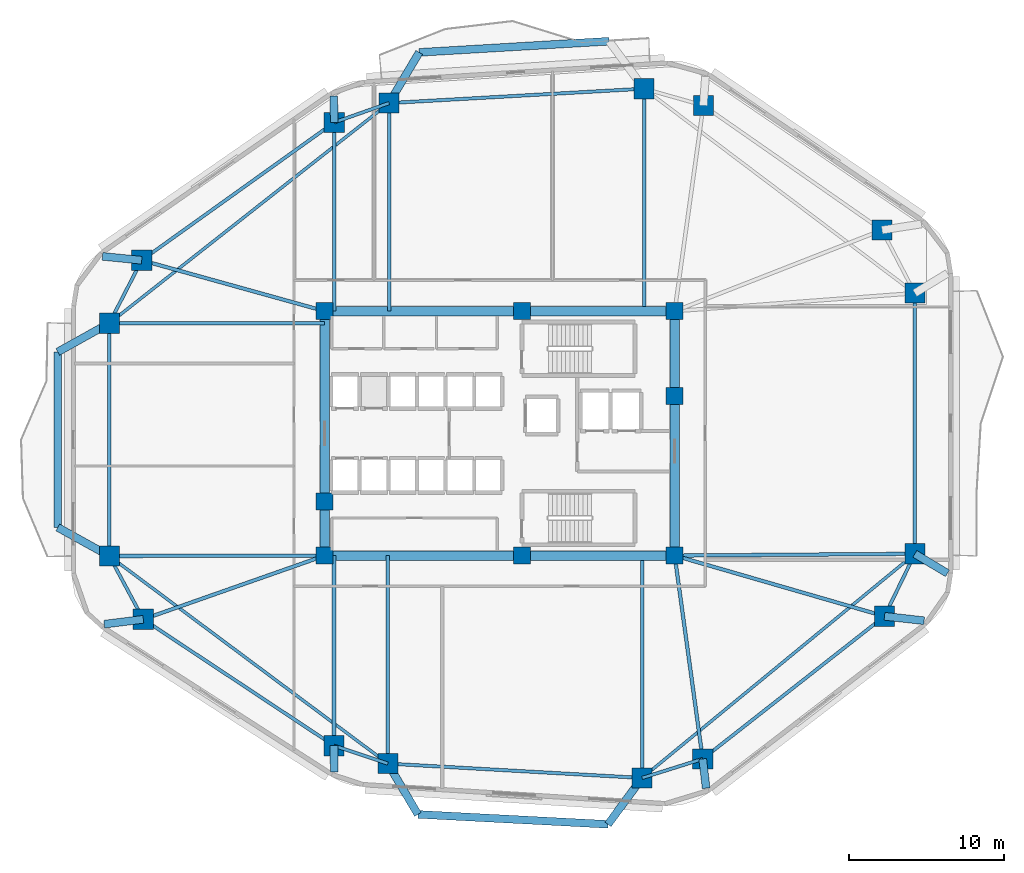
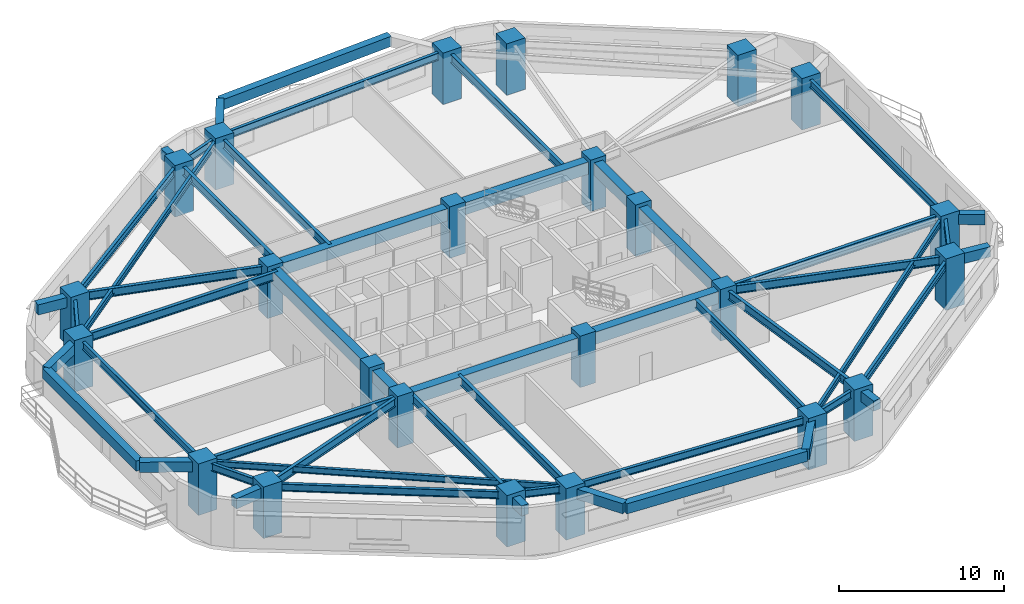
# One storey, part 1 of 10: 52 beams, 24 columns.
"""IFC4 building model written with IfcOpenShell, lengths in metres."""

from ifc_helpers import new_model, si_unit, direction, frame, origin, origin_2d, place, context, subcontext, project, spatial, rectangle, i_section, extrude, material, material_profile, profile_set, type_object, element, save


model = new_model("IFC4")

# Units and contexts
model_context = context("Model", 3, precision=1e-05, world=origin(), true_north=direction((0.0, 1.0)))
body_context = subcontext(model_context, "Body", "Model", "MODEL_VIEW")
ifc_project = project(units=[si_unit("LENGTHUNIT", "METRE"), si_unit("AREAUNIT", "SQUARE_METRE"), si_unit("VOLUMEUNIT", "CUBIC_METRE"), si_unit("PLANEANGLEUNIT", "RADIAN"), si_unit("MASSUNIT", "GRAM", prefix="KILO")], contexts=[model_context])

# Site, building, storey
site_placement = place(None, origin())
site = spatial("IfcSite", under=ifc_project, at=site_placement, CompositionType="ELEMENT")
building_placement = place(site_placement, origin())
building = spatial("IfcBuilding", under=site, at=building_placement, Name="Zulverin Broadcast Headquarters", CompositionType="ELEMENT")
storey_placement = place(building_placement, frame((0.0, 0.0, 36.39990234375)))
storey = spatial("IfcBuildingStorey", under=building, at=storey_placement, Name="L08", CompositionType="ELEMENT", Elevation=36.39990234375)

# Columns
ifc_material_1 = material(Name="Concrete C60/75", Category="concrete")
ifc_material_profile_1 = material_profile(ifc_material_1, rectangle(XDim=1.300048828125, YDim=1.300048828125, at=origin_2d()), Name="Concrete C60/75", Category="concrete")
ifc_profile_set_1 = profile_set([ifc_material_profile_1], Name="Concrete C60/75")
column_type_1 = type_object("IfcColumnType", Name="COL-RC-1300", PredefinedType="COLUMN", material=ifc_profile_set_1)
for number, where, z_axis, x_axis, name in (
    (1, (29.79638671875, 3.922119140625, 0.0), (0.0, 0.0, 1.0), (1.0, 0.0, 0.0), "L08 Perimeter Column T01"),
    (2, (46.175048828125, 2.997802734375, 0.0), (0.0, 0.0, 1.0), (1.0, 0.0, 0.0), "L08 Perimeter Column T02"),
    (3, (50.08056640625, 4.22509765625, 0.0), (0.0, 0.0, 1.0), (1.0, 0.0, 0.0), "L08 Perimeter Column T03"),
    (4, (61.79296875, 13.416259765625, 0.0), (0.0, 0.0, 1.0), (1.0, 0.0, 0.0), "L08 Perimeter Column T04"),
    (5, (63.75, 17.439697265625, 0.0), (0.0, 0.0, 1.0), (1.0, 0.0, 0.0), "L08 Perimeter Column T05"),
    (6, (63.75, 34.235107421875, 0.0), (0.0, 0.0, 1.0), (1.0, 0.0, 0.0), "L08 Perimeter Column T06"),
    (7, (61.630126953125, 38.298583984375, 0.0), (0.0, 0.0, 1.0), (1.0, 0.0, 0.0), "L08 Perimeter Column T07"),
    (8, (50.121826171875, 46.325927734375, 0.0), (0.0, 0.0, 1.0), (1.0, 0.0, 0.0), "L08 Perimeter Column T08"),
    (9, (46.30224609375, 47.4091796875, 0.0), (0.0, 0.0, 1.0), (1.0, 0.0, 0.0), "L08 Perimeter Column T09"),
    (10, (29.873779296875, 46.482177734375, 0.0), (0.0, 0.0, 1.0), (1.0, 0.0, 0.0), "L08 Perimeter Column T10"),
    (11, (26.344482421875, 45.23828125, 0.0), (0.0, 0.0, 1.0), (1.0, 0.0, 0.0), "L08 Perimeter Column T11"),
    (12, (13.934326171875, 36.353759765625, 0.0), (0.0, 0.0, 1.0), (1.0, 0.0, 0.0), "L08 Perimeter Column T12"),
    (13, (11.85009765625, 32.298095703125, 0.0), (0.0, 0.0, 1.0), (1.0, 0.0, 0.0), "L08 Perimeter Column T13"),
    (14, (11.85009765625, 17.297607421875, 0.0), (0.0, 0.0, 1.0), (1.0, 0.0, 0.0), "L08 Perimeter Column T14"),
    (15, (14.0390625, 13.219970703125, 0.0), (0.0, 0.0, 1.0), (1.0, 0.0, 0.0), "L08 Perimeter Column T15"),
    (16, (26.3251953125, 5.075927734375, 0.0), (0.0, 0.0, 1.0), (1.0, 0.0, 0.0), "L08 Perimeter Column T16"),
):
    element("IfcColumn", number, at=place(storey_placement, frame(where, z_axis=z_axis, x_axis=x_axis)), inside=storey, type_object=column_type_1, Name=name, PredefinedType="COLUMN", context=body_context, shape_type="SweptSolid", body=[
        extrude(rectangle(XDim=1.300048828125, YDim=1.300048828125, at=origin_2d()), origin(), (0.0, 0.0, 1.0), 3.800048828125),
    ])
ifc_material_profile_2 = material_profile(ifc_material_1, rectangle(XDim=1.10009765625, YDim=1.10009765625, at=origin_2d()), Name="Concrete C60/75", Category="concrete")
ifc_profile_set_2 = profile_set([ifc_material_profile_2], Name="Concrete C60/75")
column_type_2 = type_object("IfcColumnType", Name="PIL-RC-1100", PredefinedType="PILASTER", material=ifc_profile_set_2)
for number, where, z_axis, x_axis, name in (
    (17, (25.72509765625, 17.324951171875, 0.0), (0.0, 0.0, 1.0), (1.0, 0.0, 0.0), "L08 Core Pilaster K01"),
    (18, (38.449951171875, 17.324951171875, 0.0), (0.0, 0.0, 1.0), (1.0, 0.0, 0.0), "L08 Core Pilaster K02"),
    (19, (48.27490234375, 17.324951171875, 0.0), (0.0, 0.0, 1.0), (1.0, 0.0, 0.0), "L08 Core Pilaster K03"),
    (20, (48.27490234375, 27.6201171875, 0.0), (0.0, 0.0, 1.0), (1.0, 0.0, 0.0), "L08 Core Pilaster K04"),
    (21, (48.27490234375, 33.074951171875, 0.0), (0.0, 0.0, 1.0), (1.0, 0.0, 0.0), "L08 Core Pilaster K05"),
    (22, (38.449951171875, 33.074951171875, 0.0), (0.0, 0.0, 1.0), (1.0, 0.0, 0.0), "L08 Core Pilaster K06"),
    (23, (25.72509765625, 33.074951171875, 0.0), (0.0, 0.0, 1.0), (1.0, 0.0, 0.0), "L08 Core Pilaster K07"),
    (24, (25.72509765625, 20.800048828125, 0.0), (0.0, 0.0, 1.0), (1.0, 0.0, 0.0), "L08 Core Pilaster K08"),
):
    element("IfcColumn", number, at=place(storey_placement, frame(where, z_axis=z_axis, x_axis=x_axis)), inside=storey, type_object=column_type_2, Name=name, PredefinedType="PILASTER", context=body_context, shape_type="SweptSolid", body=[
        extrude(rectangle(XDim=1.10009765625, YDim=1.10009765625, at=origin_2d()), origin(), (0.0, 0.0, 1.0), 3.800048828125),
    ])

# Beams
ifc_material_profile_3 = material_profile(ifc_material_1, rectangle(XDim=0.60009765625, YDim=0.89990234375, at=origin_2d()), Name="Concrete C60/75", Category="concrete")
ifc_profile_set_3 = profile_set([ifc_material_profile_3], Name="Concrete C60/75")
beam_type_1 = type_object("IfcBeamType", Name="BM-CB-600x900", PredefinedType="LINTEL", material=ifc_profile_set_3)
beam_1_placement = place(storey_placement, frame((25.72509765625, 17.324951171875, 3.0751953125), z_axis=(1.0, 0.0, 0.0), x_axis=(0.0, 1.0, 0.0)))
element("IfcBeam", 25, at=beam_1_placement, inside=storey, type_object=beam_type_1, Name="L08 Core Coupling Girder K01-K02", PredefinedType="LINTEL", context=body_context, shape_type="SweptSolid", body=[
    extrude(rectangle(XDim=0.60009765625, YDim=0.89990234375, at=origin_2d()), origin(), (0.0, 0.0, 1.0), 12.724853515625),
])
beam_2_placement = place(storey_placement, frame((38.449951171875, 17.324951171875, 3.0751953125), z_axis=(1.0, 0.0, 0.0), x_axis=(0.0, 1.0, 0.0)))
element("IfcBeam", 26, at=beam_2_placement, inside=storey, type_object=beam_type_1, Name="L08 Core Coupling Girder K02-K03", PredefinedType="LINTEL", context=body_context, shape_type="SweptSolid", body=[
    extrude(rectangle(XDim=0.60009765625, YDim=0.89990234375, at=origin_2d()), origin(), (0.0, 0.0, 1.0), 9.824951171875),
])
beam_3_placement = place(storey_placement, frame((48.27490234375, 17.324951171875, 3.0751953125), z_axis=(0.0, 1.0, 0.0), x_axis=(-1.0, 0.0, 0.0)))
element("IfcBeam", 27, at=beam_3_placement, inside=storey, type_object=beam_type_1, Name="L08 Core Coupling Girder K03-K04", PredefinedType="LINTEL", context=body_context, shape_type="SweptSolid", body=[
    extrude(rectangle(XDim=0.60009765625, YDim=0.89990234375, at=origin_2d()), origin(), (0.0, 0.0, 1.0), 10.295166015625),
])
beam_4_placement = place(storey_placement, frame((48.27490234375, 27.6201171875, 3.0751953125), z_axis=(0.0, 1.0, 0.0), x_axis=(-1.0, 0.0, 0.0)))
element("IfcBeam", 28, at=beam_4_placement, inside=storey, type_object=beam_type_1, Name="L08 Core Coupling Girder K04-K05", PredefinedType="LINTEL", context=body_context, shape_type="SweptSolid", body=[
    extrude(rectangle(XDim=0.60009765625, YDim=0.89990234375, at=origin_2d()), origin(), (0.0, 0.0, 1.0), 5.454833984375),
])
beam_5_placement = place(storey_placement, frame((48.27490234375, 33.074951171875, 3.0751953125), z_axis=(-1.0, 0.0, 0.0), x_axis=(0.0, -1.0, 0.0)))
element("IfcBeam", 29, at=beam_5_placement, inside=storey, type_object=beam_type_1, Name="L08 Core Coupling Girder K05-K06", PredefinedType="LINTEL", context=body_context, shape_type="SweptSolid", body=[
    extrude(rectangle(XDim=0.60009765625, YDim=0.89990234375, at=origin_2d()), origin(), (0.0, 0.0, 1.0), 9.824951171875),
])
beam_6_placement = place(storey_placement, frame((38.449951171875, 33.074951171875, 3.0751953125), z_axis=(-1.0, 0.0, 0.0), x_axis=(0.0, -1.0, 0.0)))
element("IfcBeam", 30, at=beam_6_placement, inside=storey, type_object=beam_type_1, Name="L08 Core Coupling Girder K06-K07", PredefinedType="LINTEL", context=body_context, shape_type="SweptSolid", body=[
    extrude(rectangle(XDim=0.60009765625, YDim=0.89990234375, at=origin_2d()), origin(), (0.0, 0.0, 1.0), 12.724853515625),
])
beam_7_placement = place(storey_placement, frame((25.72509765625, 33.074951171875, 3.0751953125), z_axis=(0.0, -1.0, 0.0), x_axis=(1.0, 0.0, 0.0)))
element("IfcBeam", 31, at=beam_7_placement, inside=storey, type_object=beam_type_1, Name="L08 Core Coupling Girder K07-K08", PredefinedType="LINTEL", context=body_context, shape_type="SweptSolid", body=[
    extrude(rectangle(XDim=0.60009765625, YDim=0.89990234375, at=origin_2d()), origin(), (0.0, 0.0, 1.0), 12.27490234375),
])
beam_8_placement = place(storey_placement, frame((25.72509765625, 20.800048828125, 3.0751953125), z_axis=(0.0, -1.0, 0.0), x_axis=(1.0, 0.0, 0.0)))
element("IfcBeam", 32, at=beam_8_placement, inside=storey, type_object=beam_type_1, Name="L08 Core Coupling Girder K08-K01", PredefinedType="LINTEL", context=body_context, shape_type="SweptSolid", body=[
    extrude(rectangle(XDim=0.60009765625, YDim=0.89990234375, at=origin_2d()), origin(), (0.0, 0.0, 1.0), 3.47509765625),
])
ifc_material_2 = material(Name="Concrete C40/50", Category="concrete")
ifc_material_profile_4 = material_profile(ifc_material_2, rectangle(XDim=0.5, YDim=0.75, at=origin_2d()), Name="Concrete C40/50", Category="concrete")
ifc_profile_set_4 = profile_set([ifc_material_profile_4], Name="Concrete C40/50")
beam_type_2 = type_object("IfcBeamType", Name="BM-RC-500x750", PredefinedType="BEAM", material=ifc_profile_set_4)
beam_9_placement = place(storey_placement, frame((50.08056640625, 4.22509765625, 3.150146484375), z_axis=(0.115916621896, -0.99325894749, 0.0), x_axis=(0.99325894749, 0.115916621896, 0.0)))
element("IfcBeam", 33, at=beam_9_placement, inside=storey, type_object=beam_type_2, Name="L09 Plate Overhang Back-Spanned Beam OVR-03", PredefinedType="BEAM", context=body_context, shape_type="SweptSolid", body=[
    extrude(rectangle(XDim=0.5, YDim=0.75, at=origin_2d()), origin(), (0.0, 0.0, 1.0), 1.899658203125),
])
beam_10_placement = place(storey_placement, frame((61.79296875, 13.416259765625, 3.150146484375), z_axis=(0.993797661948, -0.111203449166, 0.0), x_axis=(0.111203449166, 0.993797661948, 0.0)))
element("IfcBeam", 34, at=beam_10_placement, inside=storey, type_object=beam_type_2, Name="L09 Plate Overhang Back-Spanned Beam OVR-04", PredefinedType="BEAM", context=body_context, shape_type="SweptSolid", body=[
    extrude(rectangle(XDim=0.5, YDim=0.75, at=origin_2d()), origin(), (0.0, 0.0, 1.0), 2.568603515625),
])
beam_11_placement = place(storey_placement, frame((63.75, 17.439697265625, 3.150146484375), z_axis=(0.858161199639, -0.513380322407, 0.0), x_axis=(0.513380322407, 0.858161199639, 0.0)))
element("IfcBeam", 35, at=beam_11_placement, inside=storey, type_object=beam_type_2, Name="L09 Plate Overhang Back-Spanned Beam OVR-05", PredefinedType="BEAM", context=body_context, shape_type="SweptSolid", body=[
    extrude(rectangle(XDim=0.5, YDim=0.75, at=origin_2d()), origin(), (0.0, 0.0, 1.0), 2.447265625),
])
beam_12_placement = place(storey_placement, frame((26.344482421875, 45.23828125, 3.150146484375), z_axis=(-0.025024345209, 0.999686842039, 0.0), x_axis=(-0.999686842039, -0.025024345209, 0.0)))
element("IfcBeam", 36, at=beam_12_placement, inside=storey, type_object=beam_type_2, Name="L09 Plate Overhang Back-Spanned Beam OVR-11", PredefinedType="BEAM", context=body_context, shape_type="SweptSolid", body=[
    extrude(rectangle(XDim=0.5, YDim=0.75, at=origin_2d()), origin(), (0.0, 0.0, 1.0), 1.707275390625),
])
beam_13_placement = place(storey_placement, frame((13.934326171875, 36.353759765625, 3.150146484375), z_axis=(-0.995008621602, 0.09978899207, 0.0), x_axis=(-0.09978899207, -0.995008621602, 0.0)))
element("IfcBeam", 37, at=beam_13_placement, inside=storey, type_object=beam_type_2, Name="L09 Plate Overhang Back-Spanned Beam OVR-12", PredefinedType="BEAM", context=body_context, shape_type="SweptSolid", body=[
    extrude(rectangle(XDim=0.5, YDim=0.75, at=origin_2d()), origin(), (0.0, 0.0, 1.0), 2.5419921875),
])
beam_14_placement = place(storey_placement, frame((14.0390625, 13.219970703125, 3.150146484375), z_axis=(-0.992258640565, -0.124188526941, 0.0), x_axis=(0.124188526941, -0.992258640565, 0.0)))
element("IfcBeam", 38, at=beam_14_placement, inside=storey, type_object=beam_type_2, Name="L09 Plate Overhang Back-Spanned Beam OVR-15", PredefinedType="BEAM", context=body_context, shape_type="SweptSolid", body=[
    extrude(rectangle(XDim=0.5, YDim=0.75, at=origin_2d()), origin(), (0.0, 0.0, 1.0), 2.5400390625),
])
beam_15_placement = place(storey_placement, frame((26.3251953125, 5.075927734375, 3.150146484375), z_axis=(0.006204786761, -0.999980750125, 0.0), x_axis=(0.999980750125, 0.006204786761, 0.0)))
element("IfcBeam", 39, at=beam_15_placement, inside=storey, type_object=beam_type_2, Name="L09 Plate Overhang Back-Spanned Beam OVR-16", PredefinedType="BEAM", context=body_context, shape_type="SweptSolid", body=[
    extrude(rectangle(XDim=0.5, YDim=0.75, at=origin_2d()), origin(), (0.0, 0.0, 1.0), 1.69189453125),
])
beam_16_placement = place(storey_placement, frame((29.873779296875, 46.482177734375, 3.150146484375), z_axis=(0.511024077234, 0.859566397952, 0.0), x_axis=(-0.859566397952, 0.511024077234, 0.0)))
element("IfcBeam", 40, at=beam_16_placement, inside=storey, type_object=beam_type_2, Name="L09 Balcony Column-Framed Cantilever BAL_N-2", PredefinedType="BEAM", context=body_context, shape_type="SweptSolid", body=[
    extrude(rectangle(XDim=0.5, YDim=0.75, at=origin_2d()), origin(), (0.0, 0.0, 1.0), 3.800048828125),
])
beam_17_placement = place(storey_placement, frame((44.049072265625, 50.46923828125, 3.150146484375), z_axis=(-0.998269148199, -0.058810779227, 0.0), x_axis=(0.058810779227, -0.998269148199, 0.0)))
element("IfcBeam", 41, at=beam_17_placement, inside=storey, type_object=beam_type_2, Name="L09 Balcony Outer Edge Trimmer Beam BAL_N", PredefinedType="BEAM", context=body_context, shape_type="SweptSolid", body=[
    extrude(rectangle(XDim=0.5, YDim=0.75, at=origin_2d()), origin(), (0.0, 0.0, 1.0), 12.254638671875),
])
beam_18_placement = place(storey_placement, frame((11.85009765625, 32.298095703125, 3.150146484375), z_axis=(-0.873763019306, -0.486351915893, 0.0), x_axis=(0.486351915893, -0.873763019306, 0.0)))
element("IfcBeam", 42, at=beam_18_placement, inside=storey, type_object=beam_type_2, Name="L09 Balcony Column-Framed Cantilever BAL_W-1", PredefinedType="BEAM", context=body_context, shape_type="SweptSolid", body=[
    extrude(rectangle(XDim=0.5, YDim=0.75, at=origin_2d()), origin(), (0.0, 0.0, 1.0), 3.800048828125),
])
beam_19_placement = place(storey_placement, frame((11.85009765625, 17.297607421875, 3.150146484375), z_axis=(-0.874363278793, 0.485271940975, 0.0), x_axis=(-0.485271940975, -0.874363278793, 0.0)))
element("IfcBeam", 43, at=beam_19_placement, inside=storey, type_object=beam_type_2, Name="L09 Balcony Column-Framed Cantilever BAL_W-2", PredefinedType="BEAM", context=body_context, shape_type="SweptSolid", body=[
    extrude(rectangle(XDim=0.5, YDim=0.75, at=origin_2d()), origin(), (0.0, 0.0, 1.0), 3.7998046875),
])
beam_20_placement = place(storey_placement, frame((8.52978515625, 30.449951171875, 3.150146484375), z_axis=(-0.000194304709, -0.999999981123, 0.0), x_axis=(0.999999981123, -0.000194304709, 0.0)))
element("IfcBeam", 44, at=beam_20_placement, inside=storey, type_object=beam_type_2, Name="L09 Balcony Outer Edge Trimmer Beam BAL_W", PredefinedType="BEAM", context=body_context, shape_type="SweptSolid", body=[
    extrude(rectangle(XDim=0.5, YDim=0.75, at=origin_2d()), origin(), (0.0, 0.0, 1.0), 11.308349609375),
])
beam_21_placement = place(storey_placement, frame((29.79638671875, 3.922119140625, 3.150146484375), z_axis=(0.509317980618, -0.860578407014, 0.0), x_axis=(0.860578407014, 0.509317980618, 0.0)))
element("IfcBeam", 45, at=beam_21_placement, inside=storey, type_object=beam_type_2, Name="L09 Balcony Column-Framed Cantilever BAL_S-1", PredefinedType="BEAM", context=body_context, shape_type="SweptSolid", body=[
    extrude(rectangle(XDim=0.5, YDim=0.75, at=origin_2d()), origin(), (0.0, 0.0, 1.0), 3.7998046875),
])
beam_22_placement = place(storey_placement, frame((46.175048828125, 2.997802734375, 3.150146484375), z_axis=(-0.592473400613, -0.805590013323, 0.0), x_axis=(0.805590013323, -0.592473400613, 0.0)))
element("IfcBeam", 46, at=beam_22_placement, inside=storey, type_object=beam_type_2, Name="L09 Balcony Column-Framed Cantilever BAL_S-2", PredefinedType="BEAM", context=body_context, shape_type="SweptSolid", body=[
    extrude(rectangle(XDim=0.5, YDim=0.75, at=origin_2d()), origin(), (0.0, 0.0, 1.0), 3.708251953125),
])
beam_23_placement = place(storey_placement, frame((31.731689453125, 0.652099609375, 3.150146484375), z_axis=(0.998630394716, -0.052319544613, 0.0), x_axis=(0.052319544613, 0.998630394716, 0.0)))
element("IfcBeam", 47, at=beam_23_placement, inside=storey, type_object=beam_type_2, Name="L09 Balcony Outer Edge Trimmer Beam BAL_S", PredefinedType="BEAM", context=body_context, shape_type="SweptSolid", body=[
    extrude(rectangle(XDim=0.5, YDim=0.75, at=origin_2d()), origin(), (0.0, 0.0, 1.0), 12.26318359375),
])
ifc_material_3 = material(Name="Structural steel S355JR", Category="steel")
ifc_material_profile_5 = material_profile(ifc_material_3, i_section(OverallWidth=0.19287109375, OverallDepth=0.46728515625, WebThickness=0.011474609375, FlangeThickness=0.01953125, at=origin_2d()), Name="Structural steel S355JR", Category="steel")
ifc_profile_set_5 = profile_set([ifc_material_profile_5], Name="Structural steel S355JR")
beam_type_3 = type_object("IfcBeamType", Name="BM-UB-457", PredefinedType="JOIST", material=ifc_profile_set_5)
beam_24_placement = place(storey_placement, frame((46.175048828125, 2.997802734375, 3.29150390625), z_axis=(0.772611370623, 0.634879256224, 0.0), x_axis=(-0.634879256224, 0.772611370623, 0.0)))
element("IfcBeam", 48, at=beam_24_placement, inside=storey, type_object=beam_type_3, Name="L08 Chordal Floor Joist J-01", PredefinedType="JOIST", context=body_context, shape_type="SweptSolid", body=[
    extrude(i_section(OverallWidth=0.19287109375, OverallDepth=0.46728515625, WebThickness=0.011474609375, FlangeThickness=0.01953125, at=origin_2d()), origin(), (0.0, 0.0, 1.0), 22.74755859375),
])
beam_25_placement = place(storey_placement, frame((29.873779296875, 46.482177734375, 3.29150390625), z_axis=(-0.78583902739, -0.618431098047, 0.0), x_axis=(0.618431098047, -0.78583902739, 0.0)))
element("IfcBeam", 49, at=beam_25_placement, inside=storey, type_object=beam_type_3, Name="L08 Chordal Floor Joist J-03", PredefinedType="JOIST", context=body_context, shape_type="SweptSolid", body=[
    extrude(i_section(OverallWidth=0.19287109375, OverallDepth=0.46728515625, WebThickness=0.011474609375, FlangeThickness=0.01953125, at=origin_2d()), origin(), (0.0, 0.0, 1.0), 22.935546875),
])
beam_26_placement = place(storey_placement, frame((11.85009765625, 17.297607421875, 3.29150390625), z_axis=(0.801802688634, -0.59758886243, 0.0), x_axis=(0.59758886243, 0.801802688634, 0.0)))
element("IfcBeam", 50, at=beam_26_placement, inside=storey, type_object=beam_type_3, Name="L08 Chordal Floor Joist J-04", PredefinedType="JOIST", context=body_context, shape_type="SweptSolid", body=[
    extrude(i_section(OverallWidth=0.19287109375, OverallDepth=0.46728515625, WebThickness=0.011474609375, FlangeThickness=0.01953125, at=origin_2d()), origin(), (0.0, 0.0, 1.0), 22.38232421875),
])
ifc_material_profile_6 = material_profile(ifc_material_3, i_section(OverallWidth=0.2119140625, OverallDepth=0.54443359375, WebThickness=0.0126953125, FlangeThickness=0.021240234375, at=origin_2d()), Name="Structural steel S355JR", Category="steel")
ifc_profile_set_6 = profile_set([ifc_material_profile_6], Name="Structural steel S355JR")
beam_type_4 = type_object("IfcBeamType", Name="BM-UB-533", PredefinedType="SPANDREL", material=ifc_profile_set_6)
beam_27_placement = place(storey_placement, frame((29.79638671875, 3.922119140625, 3.252685546875), z_axis=(0.998411385104, -0.056344530297, 0.0), x_axis=(0.056344530297, 0.998411385104, 0.0)))
element("IfcBeam", 51, at=beam_27_placement, inside=storey, type_object=beam_type_4, Name="L08 Perimeter Spandrel Beam SP-01", PredefinedType="SPANDREL", context=body_context, shape_type="SweptSolid", body=[
    extrude(i_section(OverallWidth=0.2119140625, OverallDepth=0.54443359375, WebThickness=0.0126953125, FlangeThickness=0.021240234375, at=origin_2d()), origin(), (0.0, 0.0, 1.0), 16.40478515625),
])
beam_28_placement = place(storey_placement, frame((46.175048828125, 2.997802734375, 3.252685546875), z_axis=(0.954004438448, 0.299792480595, 0.0), x_axis=(-0.299792480595, 0.954004438448, 0.0)))
element("IfcBeam", 52, at=beam_28_placement, inside=storey, type_object=beam_type_4, Name="L08 Perimeter Spandrel Beam SP-02", PredefinedType="SPANDREL", context=body_context, shape_type="SweptSolid", body=[
    extrude(i_section(OverallWidth=0.2119140625, OverallDepth=0.54443359375, WebThickness=0.0126953125, FlangeThickness=0.021240234375, at=origin_2d()), origin(), (0.0, 0.0, 1.0), 4.09375),
])
beam_29_placement = place(storey_placement, frame((50.08056640625, 4.22509765625, 3.252685546875), z_axis=(0.786691476208, 0.617346354376, 0.0), x_axis=(-0.617346354376, 0.786691476208, 0.0)))
element("IfcBeam", 53, at=beam_29_placement, inside=storey, type_object=beam_type_4, Name="L08 Perimeter Spandrel Beam SP-03", PredefinedType="SPANDREL", context=body_context, shape_type="SweptSolid", body=[
    extrude(i_section(OverallWidth=0.2119140625, OverallDepth=0.54443359375, WebThickness=0.0126953125, FlangeThickness=0.021240234375, at=origin_2d()), origin(), (0.0, 0.0, 1.0), 14.88818359375),
])
beam_30_placement = place(storey_placement, frame((61.79296875, 13.416259765625, 3.252685546875), z_axis=(0.437408475872, 0.899262934428, 0.0), x_axis=(-0.899262934428, 0.437408475872, 0.0)))
element("IfcBeam", 54, at=beam_30_placement, inside=storey, type_object=beam_type_4, Name="L08 Perimeter Spandrel Beam SP-04", PredefinedType="SPANDREL", context=body_context, shape_type="SweptSolid", body=[
    extrude(i_section(OverallWidth=0.2119140625, OverallDepth=0.54443359375, WebThickness=0.0126953125, FlangeThickness=0.021240234375, at=origin_2d()), origin(), (0.0, 0.0, 1.0), 4.47412109375),
])
beam_31_placement = place(storey_placement, frame((63.75, 17.439697265625, 3.252685546875), z_axis=(0.0, 1.0, 0.0), x_axis=(-1.0, 0.0, 0.0)))
element("IfcBeam", 55, at=beam_31_placement, inside=storey, type_object=beam_type_4, Name="L08 Perimeter Spandrel Beam SP-05", PredefinedType="SPANDREL", context=body_context, shape_type="SweptSolid", body=[
    extrude(i_section(OverallWidth=0.2119140625, OverallDepth=0.54443359375, WebThickness=0.0126953125, FlangeThickness=0.021240234375, at=origin_2d()), origin(), (0.0, 0.0, 1.0), 16.79541015625),
])
beam_32_placement = place(storey_placement, frame((46.30224609375, 47.4091796875, 3.252685546875), z_axis=(-0.998411812904, -0.056336949274, 0.0), x_axis=(0.056336949274, -0.998411812904, 0.0)))
element("IfcBeam", 56, at=beam_32_placement, inside=storey, type_object=beam_type_4, Name="L08 Perimeter Spandrel Beam SP-09", PredefinedType="SPANDREL", context=body_context, shape_type="SweptSolid", body=[
    extrude(i_section(OverallWidth=0.2119140625, OverallDepth=0.54443359375, WebThickness=0.0126953125, FlangeThickness=0.021240234375, at=origin_2d()), origin(), (0.0, 0.0, 1.0), 16.45458984375),
])
beam_33_placement = place(storey_placement, frame((29.873779296875, 46.482177734375, 3.252685546875), z_axis=(-0.943135983398, -0.332407155189, 0.0), x_axis=(0.332407155189, -0.943135983398, 0.0)))
element("IfcBeam", 57, at=beam_33_placement, inside=storey, type_object=beam_type_4, Name="L08 Perimeter Spandrel Beam SP-10", PredefinedType="SPANDREL", context=body_context, shape_type="SweptSolid", body=[
    extrude(i_section(OverallWidth=0.2119140625, OverallDepth=0.54443359375, WebThickness=0.0126953125, FlangeThickness=0.021240234375, at=origin_2d()), origin(), (0.0, 0.0, 1.0), 3.7421875),
])
beam_34_placement = place(storey_placement, frame((26.344482421875, 45.23828125, 3.252685546875), z_axis=(-0.813109374453, -0.582110938891, 0.0), x_axis=(0.582110938891, -0.813109374453, 0.0)))
element("IfcBeam", 58, at=beam_34_placement, inside=storey, type_object=beam_type_4, Name="L08 Perimeter Spandrel Beam SP-11", PredefinedType="SPANDREL", context=body_context, shape_type="SweptSolid", body=[
    extrude(i_section(OverallWidth=0.2119140625, OverallDepth=0.54443359375, WebThickness=0.0126953125, FlangeThickness=0.021240234375, at=origin_2d()), origin(), (0.0, 0.0, 1.0), 15.2626953125),
])
beam_35_placement = place(storey_placement, frame((13.934326171875, 36.353759765625, 3.252685546875), z_axis=(-0.457080631948, -0.889425261558, 0.0), x_axis=(0.889425261558, -0.457080631948, 0.0)))
element("IfcBeam", 59, at=beam_35_placement, inside=storey, type_object=beam_type_4, Name="L08 Perimeter Spandrel Beam SP-12", PredefinedType="SPANDREL", context=body_context, shape_type="SweptSolid", body=[
    extrude(i_section(OverallWidth=0.2119140625, OverallDepth=0.54443359375, WebThickness=0.0126953125, FlangeThickness=0.021240234375, at=origin_2d()), origin(), (0.0, 0.0, 1.0), 4.559814453125),
])
beam_36_placement = place(storey_placement, frame((11.85009765625, 32.298095703125, 3.252685546875), z_axis=(0.0, -1.0, 0.0), x_axis=(1.0, 0.0, 0.0)))
element("IfcBeam", 60, at=beam_36_placement, inside=storey, type_object=beam_type_4, Name="L08 Perimeter Spandrel Beam SP-13", PredefinedType="SPANDREL", context=body_context, shape_type="SweptSolid", body=[
    extrude(i_section(OverallWidth=0.2119140625, OverallDepth=0.54443359375, WebThickness=0.0126953125, FlangeThickness=0.021240234375, at=origin_2d()), origin(), (0.0, 0.0, 1.0), 15.00048828125),
])
beam_37_placement = place(storey_placement, frame((11.85009765625, 17.297607421875, 3.252685546875), z_axis=(0.472979536362, -0.881073412482, 0.0), x_axis=(0.881073412482, 0.472979536362, 0.0)))
element("IfcBeam", 61, at=beam_37_placement, inside=storey, type_object=beam_type_4, Name="L08 Perimeter Spandrel Beam SP-14", PredefinedType="SPANDREL", context=body_context, shape_type="SweptSolid", body=[
    extrude(i_section(OverallWidth=0.2119140625, OverallDepth=0.54443359375, WebThickness=0.0126953125, FlangeThickness=0.021240234375, at=origin_2d()), origin(), (0.0, 0.0, 1.0), 4.6279296875),
])
beam_38_placement = place(storey_placement, frame((14.0390625, 13.219970703125, 3.252685546875), z_axis=(0.833510030956, -0.552504324232, 0.0), x_axis=(0.552504324232, 0.833510030956, 0.0)))
element("IfcBeam", 62, at=beam_38_placement, inside=storey, type_object=beam_type_4, Name="L08 Perimeter Spandrel Beam SP-15", PredefinedType="SPANDREL", context=body_context, shape_type="SweptSolid", body=[
    extrude(i_section(OverallWidth=0.2119140625, OverallDepth=0.54443359375, WebThickness=0.0126953125, FlangeThickness=0.021240234375, at=origin_2d()), origin(), (0.0, 0.0, 1.0), 14.740234375),
])
beam_39_placement = place(storey_placement, frame((26.3251953125, 5.075927734375, 3.252685546875), z_axis=(0.948949931395, -0.315426739047, 0.0), x_axis=(0.315426739047, 0.948949931395, 0.0)))
element("IfcBeam", 63, at=beam_39_placement, inside=storey, type_object=beam_type_4, Name="L08 Perimeter Spandrel Beam SP-16", PredefinedType="SPANDREL", context=body_context, shape_type="SweptSolid", body=[
    extrude(i_section(OverallWidth=0.2119140625, OverallDepth=0.54443359375, WebThickness=0.0126953125, FlangeThickness=0.021240234375, at=origin_2d()), origin(), (0.0, 0.0, 1.0), 3.657958984375),
])
ifc_material_profile_7 = material_profile(ifc_material_3, i_section(OverallWidth=0.230224609375, OverallDepth=0.6171875, WebThickness=0.01318359375, FlangeThickness=0.022216796875, at=origin_2d()), Name="Structural steel S355JR", Category="steel")
ifc_profile_set_7 = profile_set([ifc_material_profile_7], Name="Structural steel S355JR")
beam_type_5 = type_object("IfcBeamType", Name="BM-UB-610", PredefinedType="BEAM", material=ifc_profile_set_7)
beam_40_placement = place(storey_placement, frame((29.79638671875, 17.324951171875, 3.216552734375), z_axis=(0.0, -1.0, 0.0), x_axis=(1.0, 0.0, 0.0)))
element("IfcBeam", 64, at=beam_40_placement, inside=storey, type_object=beam_type_5, Name="L08 Radial Primary Floor Beam RB-01", PredefinedType="BEAM", context=body_context, shape_type="SweptSolid", body=[
    extrude(i_section(OverallWidth=0.230224609375, OverallDepth=0.6171875, WebThickness=0.01318359375, FlangeThickness=0.022216796875, at=origin_2d()), origin(), (0.0, 0.0, 1.0), 13.40283203125),
])
beam_41_placement = place(storey_placement, frame((46.175048828125, 17.324951171875, 3.216552734375), z_axis=(0.0, -1.0, 0.0), x_axis=(1.0, 0.0, 0.0)))
element("IfcBeam", 65, at=beam_41_placement, inside=storey, type_object=beam_type_5, Name="L08 Radial Primary Floor Beam RB-02", PredefinedType="BEAM", context=body_context, shape_type="SweptSolid", body=[
    extrude(i_section(OverallWidth=0.230224609375, OverallDepth=0.6171875, WebThickness=0.01318359375, FlangeThickness=0.022216796875, at=origin_2d()), origin(), (0.0, 0.0, 1.0), 14.3271484375),
])
beam_42_placement = place(storey_placement, frame((48.27490234375, 17.324951171875, 3.216552734375), z_axis=(0.136547433081, -0.990633533916, 0.0), x_axis=(0.990633533916, 0.136547433081, 0.0)))
element("IfcBeam", 66, at=beam_42_placement, inside=storey, type_object=beam_type_5, Name="L08 Radial Primary Floor Beam RB-03", PredefinedType="BEAM", context=body_context, shape_type="SweptSolid", body=[
    extrude(i_section(OverallWidth=0.230224609375, OverallDepth=0.6171875, WebThickness=0.01318359375, FlangeThickness=0.022216796875, at=origin_2d()), origin(), (0.0, 0.0, 1.0), 13.2236328125),
])
beam_43_placement = place(storey_placement, frame((48.27490234375, 17.324951171875, 3.216552734375), z_axis=(0.960648363311, -0.277767388416, 0.0), x_axis=(0.277767388416, 0.960648363311, 0.0)))
element("IfcBeam", 67, at=beam_43_placement, inside=storey, type_object=beam_type_5, Name="L08 Radial Primary Floor Beam RB-04", PredefinedType="BEAM", context=body_context, shape_type="SweptSolid", body=[
    extrude(i_section(OverallWidth=0.230224609375, OverallDepth=0.6171875, WebThickness=0.01318359375, FlangeThickness=0.022216796875, at=origin_2d()), origin(), (0.0, 0.0, 1.0), 14.07177734375),
])
beam_44_placement = place(storey_placement, frame((48.27490234375, 17.324951171875, 3.216552734375), z_axis=(0.999972510862, 0.007414682739, 0.0), x_axis=(-0.007414682739, 0.999972510862, 0.0)))
element("IfcBeam", 68, at=beam_44_placement, inside=storey, type_object=beam_type_5, Name="L08 Radial Primary Floor Beam RB-05", PredefinedType="BEAM", context=body_context, shape_type="SweptSolid", body=[
    extrude(i_section(OverallWidth=0.230224609375, OverallDepth=0.6171875, WebThickness=0.01318359375, FlangeThickness=0.022216796875, at=origin_2d()), origin(), (0.0, 0.0, 1.0), 15.4755859375),
])
beam_45_placement = place(storey_placement, frame((46.30224609375, 33.074951171875, 3.216552734375), z_axis=(0.0, 1.0, 0.0), x_axis=(-1.0, 0.0, 0.0)))
element("IfcBeam", 69, at=beam_45_placement, inside=storey, type_object=beam_type_5, Name="L08 Radial Primary Floor Beam RB-09", PredefinedType="BEAM", context=body_context, shape_type="SweptSolid", body=[
    extrude(i_section(OverallWidth=0.230224609375, OverallDepth=0.6171875, WebThickness=0.01318359375, FlangeThickness=0.022216796875, at=origin_2d()), origin(), (0.0, 0.0, 1.0), 14.334228515625),
])
beam_46_placement = place(storey_placement, frame((29.873779296875, 33.074951171875, 3.216552734375), z_axis=(0.0, 1.0, 0.0), x_axis=(-1.0, 0.0, 0.0)))
element("IfcBeam", 70, at=beam_46_placement, inside=storey, type_object=beam_type_5, Name="L08 Radial Primary Floor Beam RB-10", PredefinedType="BEAM", context=body_context, shape_type="SweptSolid", body=[
    extrude(i_section(OverallWidth=0.230224609375, OverallDepth=0.6171875, WebThickness=0.01318359375, FlangeThickness=0.022216796875, at=origin_2d()), origin(), (0.0, 0.0, 1.0), 13.4072265625),
])
beam_47_placement = place(storey_placement, frame((26.344482421875, 33.074951171875, 3.216552734375), z_axis=(0.0, 1.0, 0.0), x_axis=(-1.0, 0.0, 0.0)))
element("IfcBeam", 71, at=beam_47_placement, inside=storey, type_object=beam_type_5, Name="L08 Radial Primary Floor Beam RB-11", PredefinedType="BEAM", context=body_context, shape_type="SweptSolid", body=[
    extrude(i_section(OverallWidth=0.230224609375, OverallDepth=0.6171875, WebThickness=0.01318359375, FlangeThickness=0.022216796875, at=origin_2d()), origin(), (0.0, 0.0, 1.0), 12.163330078125),
])
beam_48_placement = place(storey_placement, frame((25.72509765625, 33.074951171875, 3.216552734375), z_axis=(-0.963442133037, 0.267916509922, 0.0), x_axis=(-0.267916509922, -0.963442133037, 0.0)))
element("IfcBeam", 72, at=beam_48_placement, inside=storey, type_object=beam_type_5, Name="L08 Radial Primary Floor Beam RB-12", PredefinedType="BEAM", context=body_context, shape_type="SweptSolid", body=[
    extrude(i_section(OverallWidth=0.230224609375, OverallDepth=0.6171875, WebThickness=0.01318359375, FlangeThickness=0.022216796875, at=origin_2d()), origin(), (0.0, 0.0, 1.0), 12.23828125),
])
for number, where, z_axis, x_axis, name in (
    (73, (25.72509765625, 32.298095703125, 3.216552734375), (-1.0, 0.0, 0.0), (0.0, -1.0, 0.0), "L08 Radial Primary Floor Beam RB-13"),
    (74, (25.72509765625, 17.324951171875, 3.216552734375), (-0.999998058136, -0.001970716894, 0.0), (0.001970716894, -0.999998058136, 0.0), "L08 Radial Primary Floor Beam RB-14"),
):
    element("IfcBeam", number, at=place(storey_placement, frame(where, z_axis=z_axis, x_axis=x_axis)), inside=storey, type_object=beam_type_5, Name=name, PredefinedType="BEAM", context=body_context, shape_type="SweptSolid", body=[
        extrude(i_section(OverallWidth=0.230224609375, OverallDepth=0.6171875, WebThickness=0.01318359375, FlangeThickness=0.022216796875, at=origin_2d()), origin(), (0.0, 0.0, 1.0), 13.875),
    ])
beam_49_placement = place(storey_placement, frame((25.72509765625, 17.324951171875, 3.216552734375), z_axis=(-0.943483462345, -0.331419607569, 0.0), x_axis=(0.331419607569, -0.943483462345, 0.0)))
element("IfcBeam", 75, at=beam_49_placement, inside=storey, type_object=beam_type_5, Name="L08 Radial Primary Floor Beam RB-15", PredefinedType="BEAM", context=body_context, shape_type="SweptSolid", body=[
    extrude(i_section(OverallWidth=0.230224609375, OverallDepth=0.6171875, WebThickness=0.01318359375, FlangeThickness=0.022216796875, at=origin_2d()), origin(), (0.0, 0.0, 1.0), 12.385986328125),
])
beam_50_placement = place(storey_placement, frame((26.3251953125, 17.324951171875, 3.216552734375), z_axis=(0.0, -1.0, 0.0), x_axis=(1.0, 0.0, 0.0)))
element("IfcBeam", 76, at=beam_50_placement, inside=storey, type_object=beam_type_5, Name="L08 Radial Primary Floor Beam RB-16", PredefinedType="BEAM", context=body_context, shape_type="SweptSolid", body=[
    extrude(i_section(OverallWidth=0.230224609375, OverallDepth=0.6171875, WebThickness=0.01318359375, FlangeThickness=0.022216796875, at=origin_2d()), origin(), (0.0, 0.0, 1.0), 12.2490234375),
])

save(model, "model.ifc")
